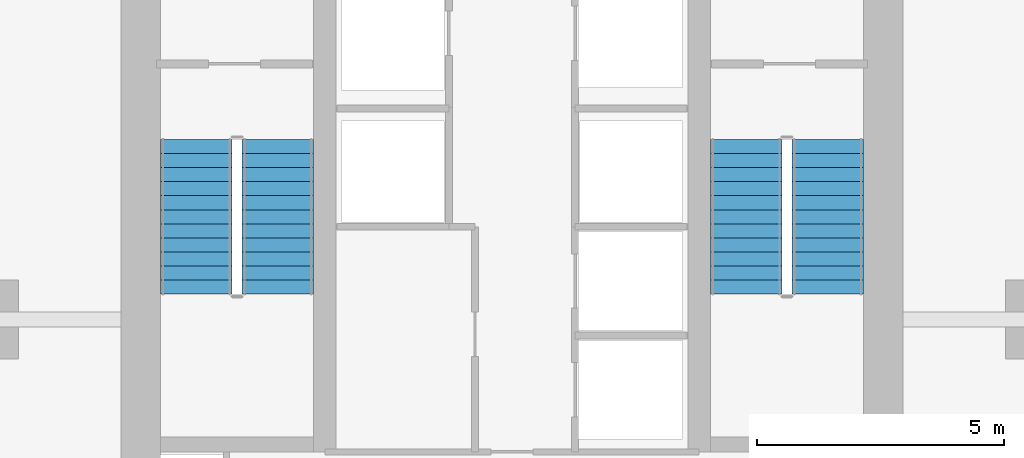
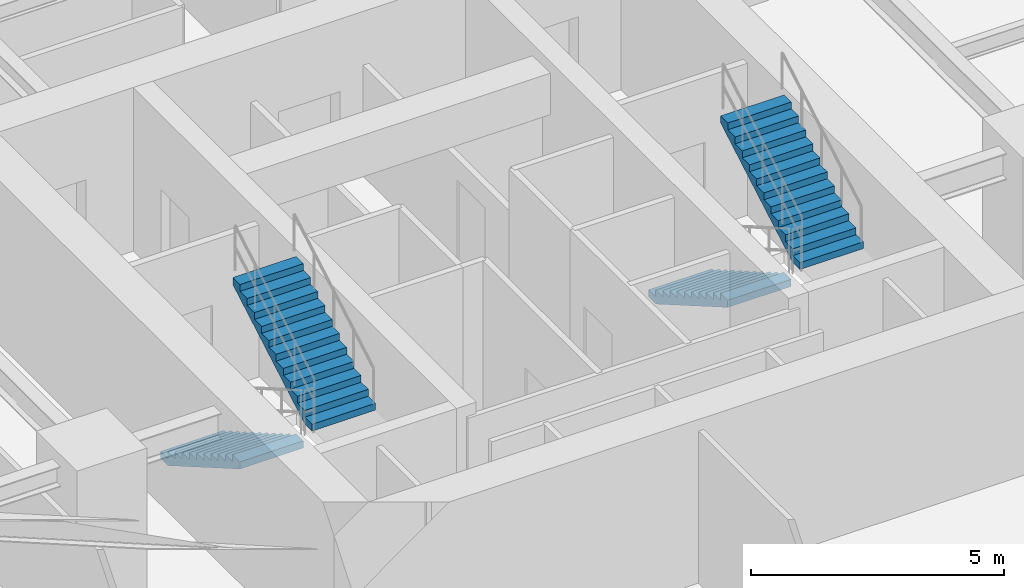
# One storey, part 24 of 26: 4 stair flights, 2 elements without a shape of their own.
"""IFC4 building model written with IfcOpenShell, lengths in metres."""

from ifc_helpers import new_model, si_unit, direction, frame, origin, place, context, subcontext, project, spatial, polyline, outline, extrude, material, type_object, element, aggregate, save


model = new_model("IFC4")

# Units and contexts
model_context = context("Model", 3, precision=1e-05, world=origin(), true_north=direction((0.0, 1.0)))
body_context = subcontext(model_context, "Body", "Model", "MODEL_VIEW")
ifc_project = project(units=[si_unit("LENGTHUNIT", "METRE"), si_unit("AREAUNIT", "SQUARE_METRE"), si_unit("VOLUMEUNIT", "CUBIC_METRE"), si_unit("PLANEANGLEUNIT", "RADIAN"), si_unit("MASSUNIT", "GRAM", prefix="KILO")], contexts=[model_context])

# Site, building, storey
site_placement = place(None, origin())
site = spatial("IfcSite", under=ifc_project, at=site_placement, CompositionType="ELEMENT")
building_placement = place(site_placement, origin())
building = spatial("IfcBuilding", under=site, at=building_placement, Name="Krantzveldt Concourse Tower", CompositionType="ELEMENT")
storey_placement = place(building_placement, frame((0.0, 0.0, 219.14990234375)))
storey = spatial("IfcBuildingStorey", under=building, at=storey_placement, Name="L53", CompositionType="ELEMENT", Elevation=219.14990234375)

# Stair, stair flights
ifc_material = material(Name="Precast concrete C40/50", Category="concrete")
stair_type = type_object("IfcStairType", Name="STR-CORE-DOGLEG", PredefinedType="HALF_TURN_STAIR", material=ifc_material)
stair_1_placement = place(storey_placement, origin())
stair_1 = element("IfcStair", 1, at=stair_1_placement, inside=storey, type_object=stair_type, Name="L53 Protected Escape Stair ST-1", PredefinedType="HALF_TURN_STAIR")
stair_flight_type = type_object("IfcStairFlightType", Name="STF-CORE-1450", PredefinedType="STRAIGHT", material=ifc_material)
stair_flight_1_placement = place(storey_placement, frame((29.60498046875, 19.550048828125, 0.0), z_axis=(0.0, 0.0, 1.0), x_axis=(0.0, -1.0, 0.0)))
stair_flight_1 = element("IfcStairFlight", 2, at=stair_flight_1_placement, type_object=stair_flight_type, Name="ST-1 flight 1", NumberOfRisers=12, NumberOfTreads=11, PredefinedType="STRAIGHT", RiserHeight=0.164583333, TreadLength=0.285, context=body_context, shape_type="SweptSolid", body=[
    extrude(outline(polyline([(0.0, 0.0), (0.0, 0.16455078125), (0.284912109375, 0.16455078125), (0.284912109375, 0.3291015625), (0.570068359375, 0.3291015625), (0.570068359375, 0.49365234375), (0.85498046875, 0.49365234375), (0.85498046875, 0.658447265625), (1.139892578125, 0.658447265625), (1.139892578125, 0.822998046875), (1.425048828125, 0.822998046875), (1.425048828125, 0.987548828125), (1.7099609375, 0.987548828125), (1.7099609375, 1.152099609375), (1.9951171875, 1.152099609375), (1.9951171875, 1.316650390625), (2.280029296875, 1.316650390625), (2.280029296875, 1.481201171875), (2.56494140625, 1.481201171875), (2.56494140625, 1.645751953125), (2.85009765625, 1.645751953125), (2.85009765625, 1.810302734375), (3.135009765625, 1.810302734375), (3.135009765625, 1.97509765625), (3.135009765625, 1.63720703125), (0.2998046875, 0.0), (0.0, 0.0)])), frame((0.0, 0.72509765625, 0.0), z_axis=(0.0, -1.0, 0.0), x_axis=(1.0, 0.0, 0.0)), (0.0, 0.0, 1.0), 1.449951171875),
])
stair_flight_2_placement = place(storey_placement, frame((31.2548828125, 16.4150390625, 1.97509765625), z_axis=(0.0, 0.0, 1.0), x_axis=(0.0, 1.0, 0.0)))
stair_flight_2 = element("IfcStairFlight", 3, at=stair_flight_2_placement, type_object=stair_flight_type, Name="ST-1 flight 2", NumberOfRisers=12, NumberOfTreads=11, PredefinedType="STRAIGHT", RiserHeight=0.164583333, TreadLength=0.285, context=body_context, shape_type="SweptSolid", body=[
    extrude(outline(polyline([(0.0, 0.0), (0.0, 0.16455078125), (0.284912109375, 0.16455078125), (0.284912109375, 0.3291015625), (0.570068359375, 0.3291015625), (0.570068359375, 0.49365234375), (0.85498046875, 0.49365234375), (0.85498046875, 0.658447265625), (1.139892578125, 0.658447265625), (1.139892578125, 0.822998046875), (1.425048828125, 0.822998046875), (1.425048828125, 0.987548828125), (1.7099609375, 0.987548828125), (1.7099609375, 1.152099609375), (1.9951171875, 1.152099609375), (1.9951171875, 1.316650390625), (2.280029296875, 1.316650390625), (2.280029296875, 1.481201171875), (2.56494140625, 1.481201171875), (2.56494140625, 1.645751953125), (2.85009765625, 1.645751953125), (2.85009765625, 1.810302734375), (3.135009765625, 1.810302734375), (3.135009765625, 1.97509765625), (3.135009765625, 1.63720703125), (0.2998046875, 0.0), (0.0, 0.0)])), frame((0.0, 0.72509765625, 0.0), z_axis=(0.0, -1.0, 0.0), x_axis=(1.0, 0.0, 0.0)), (0.0, 0.0, 1.0), 1.449951171875),
])
aggregate(stair_1, [stair_flight_1, stair_flight_2])

stair_2_placement = place(storey_placement, origin())
stair_2 = element("IfcStair", 4, at=stair_2_placement, inside=storey, type_object=stair_type, Name="L53 Protected Escape Stair ST-2", PredefinedType="HALF_TURN_STAIR")
stair_flight_3_placement = place(storey_placement, frame((40.7451171875, 19.550048828125, 0.0), z_axis=(0.0, 0.0, 1.0), x_axis=(0.0, -1.0, 0.0)))
stair_flight_3 = element("IfcStairFlight", 5, at=stair_flight_3_placement, type_object=stair_flight_type, Name="ST-2 flight 1", NumberOfRisers=12, NumberOfTreads=11, PredefinedType="STRAIGHT", RiserHeight=0.164583333, TreadLength=0.285, context=body_context, shape_type="SweptSolid", body=[
    extrude(outline(polyline([(0.0, 0.0), (0.0, 0.16455078125), (0.284912109375, 0.16455078125), (0.284912109375, 0.3291015625), (0.570068359375, 0.3291015625), (0.570068359375, 0.49365234375), (0.85498046875, 0.49365234375), (0.85498046875, 0.658447265625), (1.139892578125, 0.658447265625), (1.139892578125, 0.822998046875), (1.425048828125, 0.822998046875), (1.425048828125, 0.987548828125), (1.7099609375, 0.987548828125), (1.7099609375, 1.152099609375), (1.9951171875, 1.152099609375), (1.9951171875, 1.316650390625), (2.280029296875, 1.316650390625), (2.280029296875, 1.481201171875), (2.56494140625, 1.481201171875), (2.56494140625, 1.645751953125), (2.85009765625, 1.645751953125), (2.85009765625, 1.810302734375), (3.135009765625, 1.810302734375), (3.135009765625, 1.97509765625), (3.135009765625, 1.63720703125), (0.2998046875, 0.0), (0.0, 0.0)])), frame((0.0, 0.72509765625, 0.0), z_axis=(0.0, -1.0, 0.0), x_axis=(1.0, 0.0, 0.0)), (0.0, 0.0, 1.0), 1.449951171875),
])
stair_flight_4_placement = place(storey_placement, frame((42.39501953125, 16.4150390625, 1.97509765625), z_axis=(0.0, 0.0, 1.0), x_axis=(0.0, 1.0, 0.0)))
stair_flight_4 = element("IfcStairFlight", 6, at=stair_flight_4_placement, type_object=stair_flight_type, Name="ST-2 flight 2", NumberOfRisers=12, NumberOfTreads=11, PredefinedType="STRAIGHT", RiserHeight=0.164583333, TreadLength=0.285, context=body_context, shape_type="SweptSolid", body=[
    extrude(outline(polyline([(0.0, 0.0), (0.0, 0.16455078125), (0.284912109375, 0.16455078125), (0.284912109375, 0.3291015625), (0.570068359375, 0.3291015625), (0.570068359375, 0.49365234375), (0.85498046875, 0.49365234375), (0.85498046875, 0.658447265625), (1.139892578125, 0.658447265625), (1.139892578125, 0.822998046875), (1.425048828125, 0.822998046875), (1.425048828125, 0.987548828125), (1.7099609375, 0.987548828125), (1.7099609375, 1.152099609375), (1.9951171875, 1.152099609375), (1.9951171875, 1.316650390625), (2.280029296875, 1.316650390625), (2.280029296875, 1.481201171875), (2.56494140625, 1.481201171875), (2.56494140625, 1.645751953125), (2.85009765625, 1.645751953125), (2.85009765625, 1.810302734375), (3.135009765625, 1.810302734375), (3.135009765625, 1.97509765625), (3.135009765625, 1.63720703125), (0.2998046875, 0.0), (0.0, 0.0)])), frame((0.0, 0.72509765625, 0.0), z_axis=(0.0, -1.0, 0.0), x_axis=(1.0, 0.0, 0.0)), (0.0, 0.0, 1.0), 1.449951171875),
])
aggregate(stair_2, [stair_flight_3, stair_flight_4])

save(model, "model.ifc")
